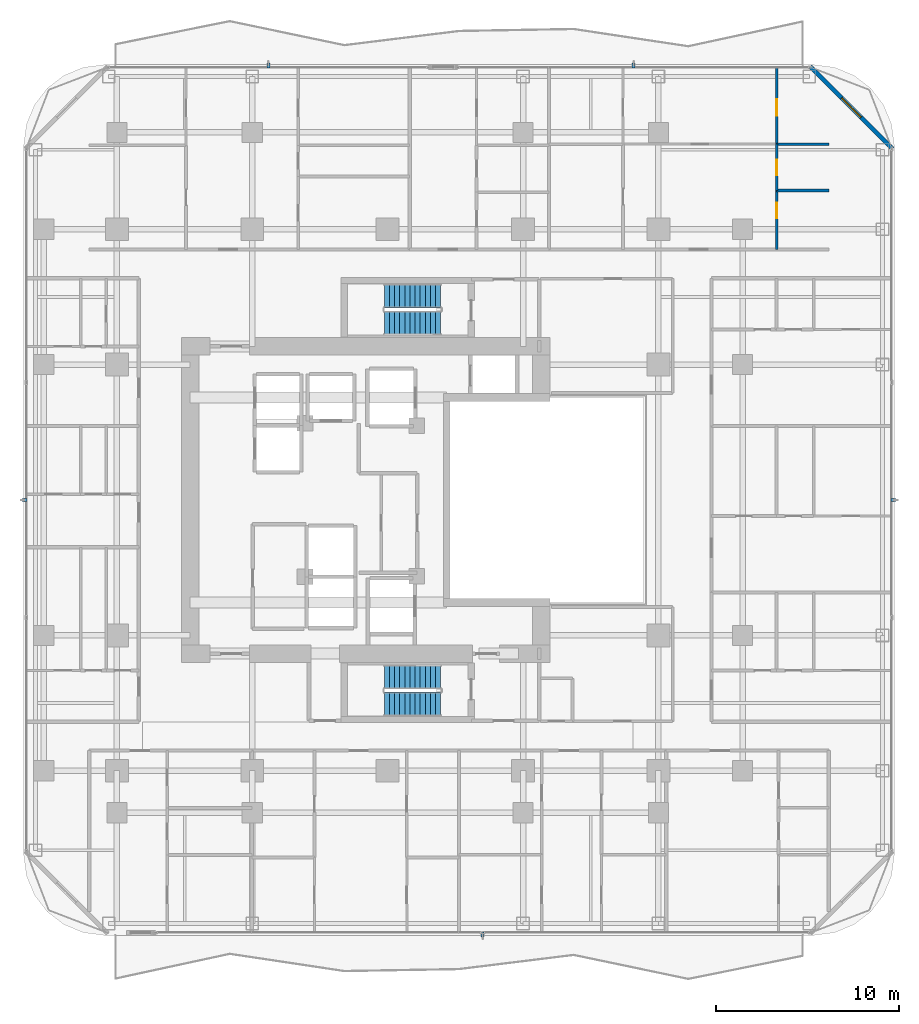
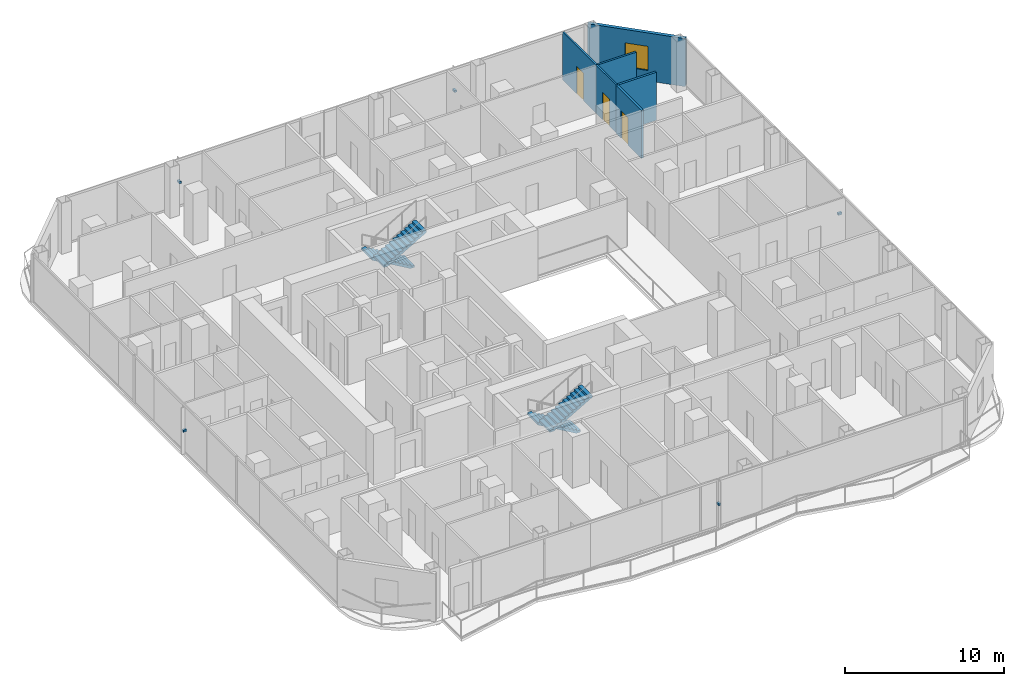
# One storey, part 23 of 29: 6 walls, 5 discrete accessories, 4 stair flights, 3 doors, 1 window, 4 openings, 2 elements without a shape of their own.
"""IFC4 building model written with IfcOpenShell, lengths in metres."""

from ifc_helpers import new_model, si_unit, direction, frame, frame_2d, origin, origin_2d, place, context, subcontext, project, spatial, polyline, rectangle, outline, extrude, material, layer, layer_set, type_object, element, fill, aggregate, save


model = new_model("IFC4")

# Units and contexts
model_context = context("Model", 3, precision=1e-05, world=origin(), true_north=direction((0.0, 1.0)))
body_context = subcontext(model_context, "Body", "Model", "MODEL_VIEW")
ifc_project = project(units=[si_unit("LENGTHUNIT", "METRE"), si_unit("AREAUNIT", "SQUARE_METRE"), si_unit("VOLUMEUNIT", "CUBIC_METRE"), si_unit("PLANEANGLEUNIT", "RADIAN"), si_unit("MASSUNIT", "GRAM", prefix="KILO")], contexts=[model_context])

# Site, building, storey
site_placement = place(None, origin())
site = spatial("IfcSite", under=ifc_project, at=site_placement, CompositionType="ELEMENT")
building_placement = place(site_placement, origin())
building = spatial("IfcBuilding", under=site, at=building_placement, Name="Khorvyn Point Tower", CompositionType="ELEMENT")
storey_placement = place(building_placement, frame((0.0, 0.0, 144.60009765625)))
storey = spatial("IfcBuildingStorey", under=building, at=storey_placement, Name="L36", CompositionType="ELEMENT", Elevation=144.60009765625)

# Wall, opening, window
ifc_material_1 = material(Name="Pale anodised aluminium rainscreen on steel stud", Category="steel")
ifc_layer_1 = layer(ifc_material_1, 0.239990234375)
ifc_layer_set_1 = layer_set([ifc_layer_1], Name="Anodised Aluminium Insulated Corner Spandrel Wall 240")
wall_type_1 = type_object("IfcWallType", Name="Anodised Aluminium Insulated Corner Spandrel Wall 240", PredefinedType="SOLIDWALL", material=ifc_layer_set_1)
wall_1_placement = place(storey_placement, frame((23.107666015625, 23.6923828125, 0.0), z_axis=(0.0, 0.0, 1.0), x_axis=(0.707087534163, -0.707126027686, 0.0)))
wall_1 = element("IfcWall", 1, at=wall_1_placement, inside=storey, type_object=wall_type_1, Name="L36 Rounded Corner Wall NE", PredefinedType="SOLIDWALL", context=body_context, shape_type="SweptSolid", body=[
    extrude(rectangle(XDim=6.34228515625, YDim=0.239990234375, at=frame_2d((3.171142578125, 0.0))), origin(), (0.0, 0.0, 1.0), 3.679931640625),
])
opening_1_placement = place(wall_1_placement, frame((2.42138671875, 0.0, 0.800048828125)))
opening_1 = element("IfcOpeningElement", 2, at=opening_1_placement, cuts=wall_1, Name="Opening WN-1518", PredefinedType="OPENING", context=body_context, shape_type="SweptSolid", body=[
    extrude(rectangle(XDim=1.5, YDim=1.85009765625, at=frame_2d((0.75, 0.925048828125))), frame((0.0, 0.1298828125, 0.0), z_axis=(0.0, -1.0, 0.0), x_axis=(1.0, 0.0, 0.0)), (0.0, 0.0, 1.0), 0.260009765625),
])
ifc_material_2 = material(Name="Anodised aluminium 6063-T6 and laminated Low-E glass", Category="aluminium")
window_type = type_object("IfcWindowType", Name="Anodised Aluminium Rounded-Corner Panoramic Window 1500x1850", PartitioningType="SINGLE_PANEL", PredefinedType="WINDOW", material=ifc_material_2)
window_placement = place(opening_1_placement, origin())
window = element("IfcWindow", 3, at=window_placement, inside=storey, type_object=window_type, Name="L36 Corner Panoramic Window NE", OverallHeight=1.85009765625, OverallWidth=1.5, PartitioningType="SINGLE_PANEL", PredefinedType="WINDOW", context=body_context, shape_type="SweptSolid", body=[
    extrude(rectangle(XDim=1.5, YDim=1.85009765625, at=frame_2d((0.75, 0.925048828125))), frame((0.0, 0.030029296875, 0.0), z_axis=(0.0, -1.0, 0.0), x_axis=(1.0, 0.0, 0.0)), (0.0, 0.0, 1.0), 0.06005859375),
])
fill(opening_1, window)

# Wall, opening, door
ifc_material_3 = material(Name="Gypsum plasterboard on steel stud", Category="steel")
ifc_layer_2 = layer(ifc_material_3, 0.1201171875)
ifc_layer_set_2 = layer_set([ifc_layer_2], Name="Gypsum Acoustic Stud Room Partition Wall 120")
wall_type_2 = type_object("IfcWallType", Name="Gypsum Acoustic Stud Room Partition Wall 120", PredefinedType="PARTITIONING", material=ifc_layer_set_2)
wall_2_placement = place(storey_placement, frame((21.27001953125, 16.923095703125, 0.0), z_axis=(0.0, 0.0, 1.0), x_axis=(0.0, 1.0, 0.0)))
wall_2 = element("IfcWall", 4, at=wall_2_placement, inside=storey, type_object=wall_type_2, Name="Wall", PredefinedType="PARTITIONING", context=body_context, shape_type="SweptSolid", body=[
    extrude(rectangle(XDim=2.531982421875, YDim=0.1201171875, at=frame_2d((1.26611328125, 0.0))), origin(), (0.0, 0.0, 1.0), 3.679931640625),
])
opening_2_placement = place(wall_2_placement, frame((0.841064453125, 0.0, 0.0)))
opening_2 = element("IfcOpeningElement", 5, at=opening_2_placement, cuts=wall_2, Name="Opening ID-WC85", PredefinedType="OPENING", context=body_context, shape_type="SweptSolid", body=[
    extrude(rectangle(XDim=0.85009765625, YDim=2.10009765625, at=frame_2d((0.425048828125, 1.050048828125))), frame((0.0, 0.070068359375, 0.0), z_axis=(0.0, -1.0, 0.0), x_axis=(1.0, 0.0, 0.0)), (0.0, 0.0, 1.0), 0.14013671875),
])
ifc_material_4 = material(Name="High-pressure laminate on moisture-resistant core", Category="wood")
door_type_1 = type_object("IfcDoorType", Name="Moisture-Resistant Accessible Washroom Door 850x2100", OperationType="NOTDEFINED", PredefinedType="DOOR", material=ifc_material_4)
door_1_placement = place(opening_2_placement, origin())
door_1 = element("IfcDoor", 6, at=door_1_placement, inside=storey, type_object=door_type_1, Name="Door", OperationType="SINGLE_SWING_LEFT", OverallHeight=2.10009765625, OverallWidth=0.85009765625, PredefinedType="DOOR", context=body_context, shape_type="SweptSolid", body=[
    extrude(rectangle(XDim=0.85009765625, YDim=2.10009765625, at=frame_2d((0.425048828125, 1.050048828125))), frame((0.0, 0.02490234375, 0.0), z_axis=(0.0, -1.0, 0.0), x_axis=(1.0, 0.0, 0.0)), (0.0, 0.0, 1.0), 0.050048828125),
])
fill(opening_2, door_1)

wall_3_placement = place(storey_placement, frame((21.27001953125, 19.455078125, 0.0), z_axis=(0.0, 0.0, 1.0), x_axis=(0.0, 1.0, 0.0)))
wall_3 = element("IfcWall", 7, at=wall_3_placement, inside=storey, type_object=wall_type_2, Name="Wall", PredefinedType="PARTITIONING", context=body_context, shape_type="SweptSolid", body=[
    extrude(rectangle(XDim=4.1748046875, YDim=0.1201171875, at=frame_2d((2.08740234375, 0.0))), origin(), (0.0, 0.0, 1.0), 3.679931640625),
])
opening_3_placement = place(wall_3_placement, frame((1.550537109375, 0.0, 0.0)))
opening_3 = element("IfcOpeningElement", 8, at=opening_3_placement, cuts=wall_3, Name="Opening ID-RM90", PredefinedType="OPENING", context=body_context, shape_type="SweptSolid", body=[
    extrude(rectangle(XDim=0.89990234375, YDim=2.10009765625, at=frame_2d((0.449951171875, 1.050048828125))), frame((0.0, 0.070068359375, 0.0), z_axis=(0.0, -1.0, 0.0), x_axis=(1.0, 0.0, 0.0)), (0.0, 0.0, 1.0), 0.14013671875),
])
ifc_material_5 = material(Name="Engineered oak veneer timber", Category="wood")
door_type_2 = type_object("IfcDoorType", Name="Flush Engineered Timber Room Door 900x2100", OperationType="NOTDEFINED", PredefinedType="DOOR", material=ifc_material_5)
door_2_placement = place(opening_3_placement, origin())
door_2 = element("IfcDoor", 9, at=door_2_placement, inside=storey, type_object=door_type_2, Name="Door", OperationType="SINGLE_SWING_RIGHT", OverallHeight=2.10009765625, OverallWidth=0.89990234375, PredefinedType="DOOR", context=body_context, shape_type="SweptSolid", body=[
    extrude(rectangle(XDim=0.89990234375, YDim=2.10009765625, at=frame_2d((0.449951171875, 1.050048828125))), frame((0.0, 0.02490234375, 0.0), z_axis=(0.0, -1.0, 0.0), x_axis=(1.0, 0.0, 0.0)), (0.0, 0.0, 1.0), 0.050048828125),
])
fill(opening_3, door_2)

ifc_material_6 = material(Name="Moisture-resistant gypsum and cement board", Category="gypsum")
ifc_layer_3 = layer(ifc_material_6, 0.14990234375)
ifc_layer_set_3 = layer_set([ifc_layer_3], Name="Moisture-Resistant Wet-Room Partition Wall 150")
wall_type_3 = type_object("IfcWallType", Name="Moisture-Resistant Wet-Room Partition Wall 150", PredefinedType="PARTITIONING", material=ifc_layer_set_3)
wall_4_placement = place(storey_placement, frame((21.27001953125, 13.699951171875, 0.0), z_axis=(0.0, 0.0, 1.0), x_axis=(0.0, 1.0, 0.0)))
wall_4 = element("IfcWall", 10, at=wall_4_placement, inside=storey, type_object=wall_type_3, Name="Wall", PredefinedType="PARTITIONING", context=body_context, shape_type="SweptSolid", body=[
    extrude(rectangle(XDim=3.22314453125, YDim=0.14990234375, at=frame_2d((1.611572265625, 0.0))), origin(), (0.0, 0.0, 1.0), 3.679931640625),
])
opening_4_placement = place(wall_4_placement, frame((1.69970703125, 0.0, 0.0)))
opening_4 = element("IfcOpeningElement", 11, at=opening_4_placement, cuts=wall_4, Name="Opening ID-WC85", PredefinedType="OPENING", context=body_context, shape_type="SweptSolid", body=[
    extrude(rectangle(XDim=0.85009765625, YDim=2.10009765625, at=frame_2d((0.425048828125, 1.050048828125))), frame((0.0, 0.0849609375, 0.0), z_axis=(0.0, -1.0, 0.0), x_axis=(1.0, 0.0, 0.0)), (0.0, 0.0, 1.0), 0.169921875),
])
door_3_placement = place(opening_4_placement, origin())
door_3 = element("IfcDoor", 12, at=door_3_placement, inside=storey, type_object=door_type_1, Name="Door", OperationType="SINGLE_SWING_RIGHT", OverallHeight=2.10009765625, OverallWidth=0.85009765625, PredefinedType="DOOR", context=body_context, shape_type="SweptSolid", body=[
    extrude(rectangle(XDim=0.85009765625, YDim=2.10009765625, at=frame_2d((0.425048828125, 1.050048828125))), frame((0.0, 0.02490234375, 0.0), z_axis=(0.0, -1.0, 0.0), x_axis=(1.0, 0.0, 0.0)), (0.0, 0.0, 1.0), 0.050048828125),
])
fill(opening_4, door_3)

# Walls
for number, where, z_axis, x_axis, name in (
    (13, (21.27001953125, 16.923095703125, 0.0), (0.0, 0.0, 1.0), (1.0, 0.0, 0.0), "Wall"),
    (14, (21.27001953125, 19.455078125, 0.0), (0.0, 0.0, 1.0), (1.0, 0.0, 0.0), "Wall"),
):
    element("IfcWall", number, at=place(storey_placement, frame(where, z_axis=z_axis, x_axis=x_axis)), inside=storey, type_object=wall_type_3, Name=name, PredefinedType="PARTITIONING", context=body_context, shape_type="SweptSolid", body=[
        extrude(rectangle(XDim=2.85009765625, YDim=0.14990234375, at=frame_2d((1.425048828125, 0.0))), origin(), (0.0, 0.0, 1.0), 3.679931640625),
    ])

# Stair, stair flights
ifc_material_7 = material(Name="Concrete C40/50", Category="concrete")
stair_type = type_object("IfcStairType", Name="Tower Concrete C40/50 Dogleg Exit Stair", PredefinedType="HALF_TURN_STAIR", material=ifc_material_7)
stair_1_placement = place(storey_placement, origin())
stair_1 = element("IfcStair", 15, at=stair_1_placement, inside=storey, type_object=stair_type, Name="L36 Tower Smokeproof Exit Stair South", PredefinedType="HALF_TURN_STAIR")
stair_flight_type = type_object("IfcStairFlightType", Name="Tower Concrete C40/50 Stair Flight", PredefinedType="STRAIGHT", material=ifc_material_7)
stair_flight_1_placement = place(storey_placement, frame((2.89990234375, -9.679931640625, 0.0), z_axis=(0.0, 0.0, 1.0), x_axis=(-1.0, 0.0, 0.0)))
stair_flight_1 = element("IfcStairFlight", 16, at=stair_flight_1_placement, type_object=stair_flight_type, Name="ST-01 flight 1", NumberOfRisers=12, NumberOfTreads=11, PredefinedType="STRAIGHT", RiserHeight=0.1625, TreadLength=0.28, context=body_context, shape_type="SweptSolid", body=[
    extrude(outline(polyline([(0.0, 0.0), (0.0, 0.16259765625), (0.280029296875, 0.16259765625), (0.280029296875, 0.324951171875), (0.56005859375, 0.324951171875), (0.56005859375, 0.487548828125), (0.840087890625, 0.487548828125), (0.840087890625, 0.64990234375), (1.1201171875, 0.64990234375), (1.1201171875, 0.8125), (1.39990234375, 0.8125), (1.39990234375, 0.97509765625), (1.679931640625, 0.97509765625), (1.679931640625, 1.137451171875), (1.9599609375, 1.137451171875), (1.9599609375, 1.300048828125), (2.239990234375, 1.300048828125), (2.239990234375, 1.46240234375), (2.52001953125, 1.46240234375), (2.52001953125, 1.625), (2.800048828125, 1.625), (2.800048828125, 1.78759765625), (3.080078125, 1.78759765625), (3.080078125, 1.949951171875), (3.080078125, 1.6142578125), (0.298583984375, 0.0), (0.0, 0.0)])), frame((0.0, 0.66015625, 0.0), z_axis=(0.0, -1.0, 0.0), x_axis=(1.0, 0.0, 0.0)), (0.0, 0.0, 1.0), 1.320068359375),
])
stair_flight_2_placement = place(storey_placement, frame((-0.179931640625, -11.159912109375, 1.949951171875), z_axis=(0.0, 0.0, 1.0), x_axis=(1.0, 0.0, 0.0)))
stair_flight_2 = element("IfcStairFlight", 17, at=stair_flight_2_placement, type_object=stair_flight_type, Name="ST-01 flight 2", NumberOfRisers=12, NumberOfTreads=11, PredefinedType="STRAIGHT", RiserHeight=0.1625, TreadLength=0.28, context=body_context, shape_type="SweptSolid", body=[
    extrude(outline(polyline([(0.0, 0.0), (0.0, 0.16259765625), (0.280029296875, 0.16259765625), (0.280029296875, 0.324951171875), (0.56005859375, 0.324951171875), (0.56005859375, 0.487548828125), (0.840087890625, 0.487548828125), (0.840087890625, 0.64990234375), (1.1201171875, 0.64990234375), (1.1201171875, 0.8125), (1.39990234375, 0.8125), (1.39990234375, 0.97509765625), (1.679931640625, 0.97509765625), (1.679931640625, 1.137451171875), (1.9599609375, 1.137451171875), (1.9599609375, 1.300048828125), (2.239990234375, 1.300048828125), (2.239990234375, 1.46240234375), (2.52001953125, 1.46240234375), (2.52001953125, 1.625), (2.800048828125, 1.625), (2.800048828125, 1.78759765625), (3.080078125, 1.78759765625), (3.080078125, 1.949951171875), (3.080078125, 1.6142578125), (0.298583984375, 0.0), (0.0, 0.0)])), frame((0.0, 0.66015625, 0.0), z_axis=(0.0, -1.0, 0.0), x_axis=(1.0, 0.0, 0.0)), (0.0, 0.0, 1.0), 1.320068359375),
])
aggregate(stair_1, [stair_flight_1, stair_flight_2])

stair_2_placement = place(storey_placement, origin())
stair_2 = element("IfcStair", 18, at=stair_2_placement, inside=storey, type_object=stair_type, Name="L36 Tower Smokeproof Exit Stair North", PredefinedType="HALF_TURN_STAIR")
stair_flight_3_placement = place(storey_placement, frame((2.89990234375, 11.159912109375, 0.0), z_axis=(0.0, 0.0, 1.0), x_axis=(-1.0, 0.0, 0.0)))
stair_flight_3 = element("IfcStairFlight", 19, at=stair_flight_3_placement, type_object=stair_flight_type, Name="ST-02 flight 1", NumberOfRisers=12, NumberOfTreads=11, PredefinedType="STRAIGHT", RiserHeight=0.1625, TreadLength=0.28, context=body_context, shape_type="SweptSolid", body=[
    extrude(outline(polyline([(0.0, 0.0), (0.0, 0.16259765625), (0.280029296875, 0.16259765625), (0.280029296875, 0.324951171875), (0.56005859375, 0.324951171875), (0.56005859375, 0.487548828125), (0.840087890625, 0.487548828125), (0.840087890625, 0.64990234375), (1.1201171875, 0.64990234375), (1.1201171875, 0.8125), (1.39990234375, 0.8125), (1.39990234375, 0.97509765625), (1.679931640625, 0.97509765625), (1.679931640625, 1.137451171875), (1.9599609375, 1.137451171875), (1.9599609375, 1.300048828125), (2.239990234375, 1.300048828125), (2.239990234375, 1.46240234375), (2.52001953125, 1.46240234375), (2.52001953125, 1.625), (2.800048828125, 1.625), (2.800048828125, 1.78759765625), (3.080078125, 1.78759765625), (3.080078125, 1.949951171875), (3.080078125, 1.6142578125), (0.298583984375, 0.0), (0.0, 0.0)])), frame((0.0, 0.66015625, 0.0), z_axis=(0.0, -1.0, 0.0), x_axis=(1.0, 0.0, 0.0)), (0.0, 0.0, 1.0), 1.320068359375),
])
stair_flight_4_placement = place(storey_placement, frame((-0.179931640625, 9.679931640625, 1.949951171875), z_axis=(0.0, 0.0, 1.0), x_axis=(1.0, 0.0, 0.0)))
stair_flight_4 = element("IfcStairFlight", 20, at=stair_flight_4_placement, type_object=stair_flight_type, Name="ST-02 flight 2", NumberOfRisers=12, NumberOfTreads=11, PredefinedType="STRAIGHT", RiserHeight=0.1625, TreadLength=0.28, context=body_context, shape_type="SweptSolid", body=[
    extrude(outline(polyline([(0.0, 0.0), (0.0, 0.16259765625), (0.280029296875, 0.16259765625), (0.280029296875, 0.324951171875), (0.56005859375, 0.324951171875), (0.56005859375, 0.487548828125), (0.840087890625, 0.487548828125), (0.840087890625, 0.64990234375), (1.1201171875, 0.64990234375), (1.1201171875, 0.8125), (1.39990234375, 0.8125), (1.39990234375, 0.97509765625), (1.679931640625, 0.97509765625), (1.679931640625, 1.137451171875), (1.9599609375, 1.137451171875), (1.9599609375, 1.300048828125), (2.239990234375, 1.300048828125), (2.239990234375, 1.46240234375), (2.52001953125, 1.46240234375), (2.52001953125, 1.625), (2.800048828125, 1.625), (2.800048828125, 1.78759765625), (3.080078125, 1.78759765625), (3.080078125, 1.949951171875), (3.080078125, 1.6142578125), (0.298583984375, 0.0), (0.0, 0.0)])), frame((0.0, 0.66015625, 0.0), z_axis=(0.0, -1.0, 0.0), x_axis=(1.0, 0.0, 0.0)), (0.0, 0.0, 1.0), 1.320068359375),
])
aggregate(stair_2, [stair_flight_3, stair_flight_4])

# Discrete accessories
ifc_material_8 = material(Name="Stainless steel 1.4401", Category="steel")
discrete_accessory_type = type_object("IfcDiscreteAccessoryType", Name="Stainless Steel 316 Facade Fin Fixing Bracket", PredefinedType="BRACKET", material=ifc_material_8)
for number, where, z_axis, x_axis, name in (
    (21, (5.1904296875, -23.75, 1.759765625), (0.0, 0.0, 1.0), (-1.0, 0.0, 0.0), "L36 Solar Fin Fixing Bracket 01"),
    (22, (-6.51904296875, 23.75, 1.759765625), (0.0, 0.0, 1.0), (1.0, 0.0, 0.0), "L36 Solar Fin Fixing Bracket 01"),
    (23, (13.450927734375, 23.75, 1.759765625), (0.0, 0.0, 1.0), (1.0, 0.0, 0.0), "L36 Solar Fin Fixing Bracket 01"),
    (24, (-19.85009765625, 0.0, 1.759765625), (0.0, 0.0, 1.0), (0.0, 1.0, 0.0), "L36 Solar Fin Fixing Bracket 01"),
    (25, (27.64990234375, 0.0, 1.759765625), (0.0, 0.0, 1.0), (0.0, -1.0, 0.0), "L36 Solar Fin Fixing Bracket 01"),
):
    element("IfcDiscreteAccessory", number, at=place(storey_placement, frame(where, z_axis=z_axis, x_axis=x_axis)), inside=storey, type_object=discrete_accessory_type, Name=name, PredefinedType="BRACKET", context=body_context, shape_type="SweptSolid", body=[
        extrude(rectangle(XDim=0.159912109375, YDim=0.260009765625, at=origin_2d()), origin(), (0.0, 0.0, 1.0), 0.159912109375),
    ])

save(model, "model.ifc")
